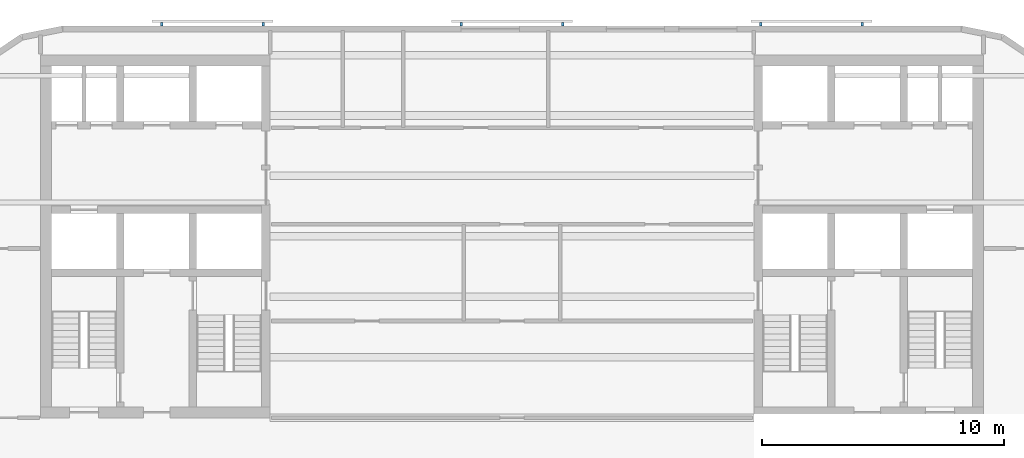
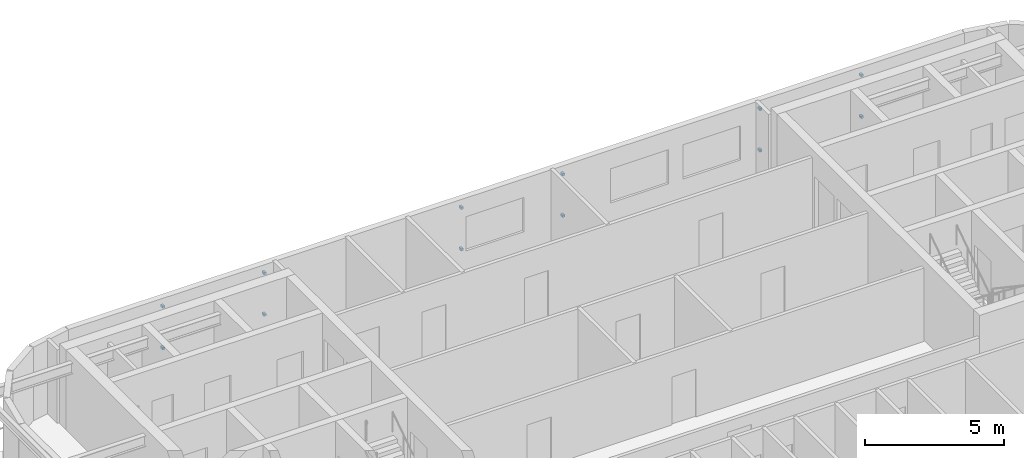
# One storey, part 8 of 11: 12 discrete accessories.
"""IFC4 building model written with IfcOpenShell, lengths in metres."""

from ifc_helpers import new_model, si_unit, direction, frame, origin, origin_2d, place, context, subcontext, project, spatial, rectangle, extrude, material, type_object, element, save


model = new_model("IFC4")

# Units and contexts
model_context = context("Model", 3, precision=1e-05, world=origin(), true_north=direction((0.0, 1.0)))
body_context = subcontext(model_context, "Body", "Model", "MODEL_VIEW")
ifc_project = project(units=[si_unit("LENGTHUNIT", "METRE"), si_unit("AREAUNIT", "SQUARE_METRE"), si_unit("VOLUMEUNIT", "CUBIC_METRE"), si_unit("PLANEANGLEUNIT", "RADIAN"), si_unit("MASSUNIT", "GRAM", prefix="KILO")], contexts=[model_context])

# Site, building, storey
site_placement = place(None, origin())
site = spatial("IfcSite", under=ifc_project, at=site_placement, CompositionType="ELEMENT")
building_placement = place(site_placement, origin())
building = spatial("IfcBuilding", under=site, at=building_placement, Name="Torana Hotel and Residences", CompositionType="ELEMENT")
storey_placement = place(building_placement, frame((0.0, 0.0, 291.10009765625)))
storey = spatial("IfcBuildingStorey", under=building, at=storey_placement, Name="L77", CompositionType="ELEMENT", Elevation=291.10009765625)

# Discrete accessories
ifc_material = material(Name="Steel S355", Category="steel")
discrete_accessory_type = type_object("IfcDiscreteAccessoryType", Name="SCREEN BRACKET 100", PredefinedType="BRACKET", material=ifc_material)
for number, where, z_axis, x_axis, name in (
    (1, (14.483642578125, 1.27490234375, 0.749755859375), (0.0, 0.0, 1.0), (-1.0, 0.0, 0.0), "Screen bracket L77"),
    (2, (14.483642578125, 1.27490234375, 2.56982421875), (0.0, 0.0, 1.0), (-1.0, 0.0, 0.0), "Screen bracket L77"),
    (3, (10.28369140625, 1.27490234375, 0.749755859375), (0.0, 0.0, 1.0), (-1.0, 0.0, 0.0), "Screen bracket L77"),
    (4, (10.28369140625, 1.27490234375, 2.56982421875), (0.0, 0.0, 1.0), (-1.0, 0.0, 0.0), "Screen bracket L77"),
    (5, (2.10009765625, 1.27490234375, 0.749755859375), (0.0, 0.0, 1.0), (-1.0, 0.0, 0.0), "Screen bracket L77"),
    (6, (2.10009765625, 1.27490234375, 2.56982421875), (0.0, 0.0, 1.0), (-1.0, 0.0, 0.0), "Screen bracket L77"),
    (7, (-2.10009765625, 1.27490234375, 0.749755859375), (0.0, 0.0, 1.0), (-1.0, 0.0, 0.0), "Screen bracket L77"),
    (8, (-2.10009765625, 1.27490234375, 2.56982421875), (0.0, 0.0, 1.0), (-1.0, 0.0, 0.0), "Screen bracket L77"),
    (9, (-10.28369140625, 1.27490234375, 0.749755859375), (0.0, 0.0, 1.0), (-1.0, 0.0, 0.0), "Screen bracket L77"),
    (10, (-10.28369140625, 1.27490234375, 2.56982421875), (0.0, 0.0, 1.0), (-1.0, 0.0, 0.0), "Screen bracket L77"),
    (11, (-14.483642578125, 1.27490234375, 0.749755859375), (0.0, 0.0, 1.0), (-1.0, 0.0, 0.0), "Screen bracket L77"),
    (12, (-14.483642578125, 1.27490234375, 2.56982421875), (0.0, 0.0, 1.0), (-1.0, 0.0, 0.0), "Screen bracket L77"),
):
    element("IfcDiscreteAccessory", number, at=place(storey_placement, frame(where, z_axis=z_axis, x_axis=x_axis)), inside=storey, type_object=discrete_accessory_type, Name=name, PredefinedType="BRACKET", context=body_context, shape_type="SweptSolid", body=[
        extrude(rectangle(XDim=0.10009765625, YDim=0.14990234375, at=origin_2d()), origin(), (0.0, 0.0, 1.0), 0.10009765625),
    ])

save(model, "model.ifc")
